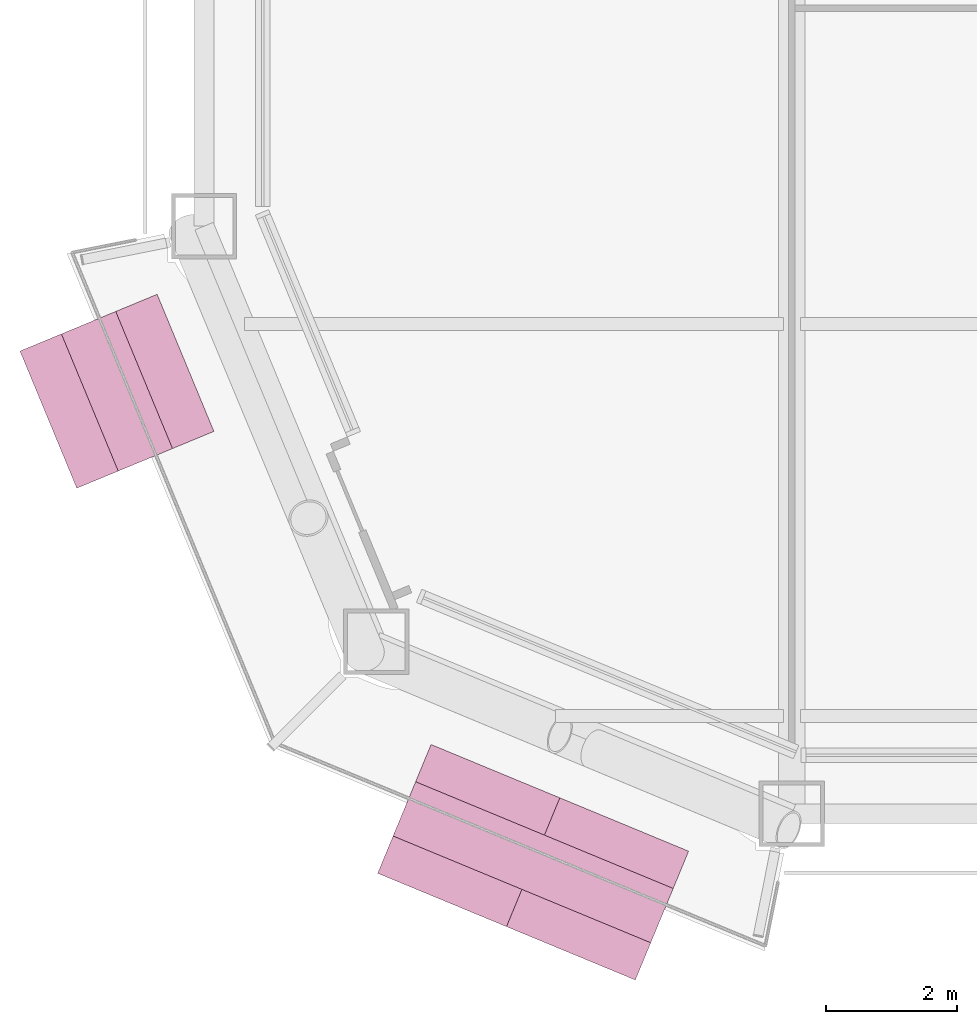
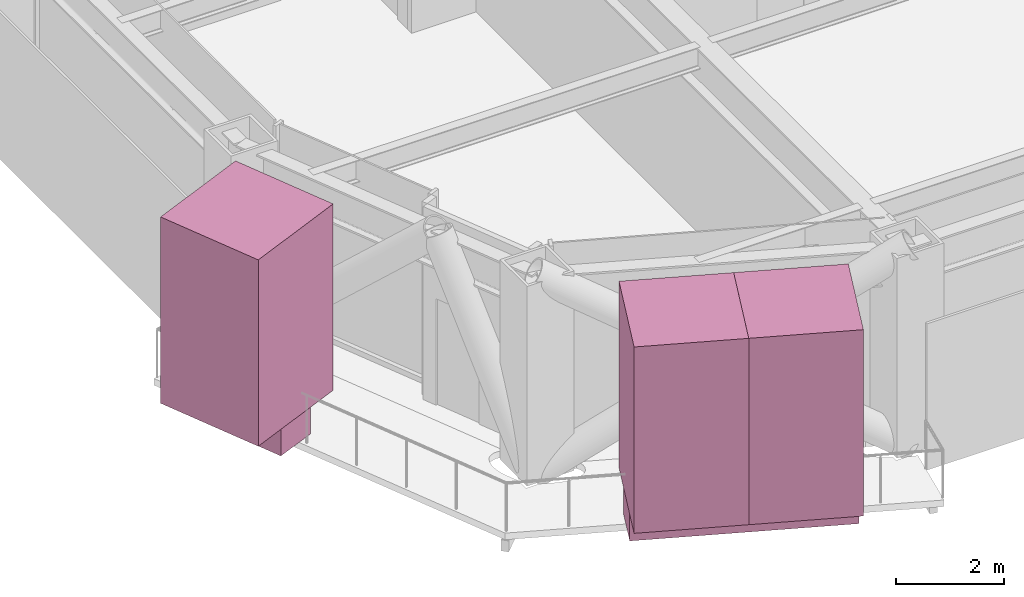
# One storey, part 27 of 27: 5 furnishings.
"""IFC4 building model written with IfcOpenShell, lengths in metres."""

from ifc_helpers import new_model, si_unit, direction, frame, origin, origin_2d, place, context, subcontext, project, spatial, rectangle, extrude, material, type_object, element, save


model = new_model("IFC4")

# Units and contexts
model_context = context("Model", 3, precision=1e-05, world=origin(), true_north=direction((0.0, 1.0)))
body_context = subcontext(model_context, "Body", "Model", "MODEL_VIEW")
ifc_project = project(units=[si_unit("LENGTHUNIT", "METRE"), si_unit("AREAUNIT", "SQUARE_METRE"), si_unit("VOLUMEUNIT", "CUBIC_METRE"), si_unit("PLANEANGLEUNIT", "RADIAN"), si_unit("MASSUNIT", "GRAM", prefix="KILO")], contexts=[model_context])

# Site, building, storey
site_placement = place(None, origin())
site = spatial("IfcSite", under=ifc_project, at=site_placement, CompositionType="ELEMENT")
building_placement = place(site_placement, origin())
building = spatial("IfcBuilding", under=site, at=building_placement, Name="Siwar Civic Tower", CompositionType="ELEMENT")
storey_placement = place(building_placement, frame((0.0, 0.0, 53.699951171875)))
storey = spatial("IfcBuildingStorey", under=building, at=storey_placement, Name="L11", CompositionType="ELEMENT", Elevation=53.699951171875)

# Furnishings
ifc_material_1 = material(Name="Planting soil and foliage")
furnishing_element_type_1 = type_object("IfcFurnishingElementType", Name="ENV-PLANTER", material=ifc_material_1)
furnishing_1_placement = place(storey_placement, frame((-32.833984375, -25.0283203125, 0.0), z_axis=(0.0, 0.0, 1.0), x_axis=(0.382683432365, -0.923879532511, 0.0)))
element("IfcFurnishingElement", 1, at=furnishing_1_placement, inside=storey, type_object=furnishing_element_type_1, Name="PLANTER SW 1", context=body_context, shape_type="SweptSolid", body=[
    extrude(rectangle(XDim=2.273193359375, YDim=0.89990234375, at=origin_2d()), origin(), (0.0, 0.0, 1.0), 0.60009765625),
])
furnishing_2_placement = place(storey_placement, frame((-26.460205078125, -32.240966796875, 0.0), z_axis=(0.0, 0.0, 1.0), x_axis=(0.923879532511, -0.382683432365, 0.0)))
element("IfcFurnishingElement", 2, at=furnishing_2_placement, inside=storey, type_object=furnishing_element_type_1, Name="PLANTER SW 2", context=body_context, shape_type="SweptSolid", body=[
    extrude(rectangle(XDim=4.270751953125, YDim=0.89990234375, at=origin_2d()), origin(), (0.0, 0.0, 1.0), 0.60009765625),
])
ifc_material_2 = material(Name="Planting soil and foliage")
furnishing_element_type_2 = type_object("IfcFurnishingElementType", Name="ENV-TREE", material=ifc_material_2)
furnishing_3_placement = place(storey_placement, frame((-32.833984375, -25.0283203125, 0.60009765625), z_axis=(0.0, 0.0, 1.0), x_axis=(0.382683432365, -0.923879532511, 0.0)))
element("IfcFurnishingElement", 3, at=furnishing_3_placement, inside=storey, type_object=furnishing_element_type_2, Name="PLANTER (TREE) SW 1.1", context=body_context, shape_type="SweptSolid", body=[
    extrude(rectangle(XDim=2.273193359375, YDim=2.273193359375, at=origin_2d()), origin(), (0.0, 0.0, 1.0), 4.199951171875),
])
for number, where, z_axis, x_axis, name in (
    (4, (-27.44677734375, -31.832275390625, 0.60009765625), (0.0, 0.0, 1.0), (0.923879532511, -0.382683432365, 0.0), "PLANTER (TREE) SW 2.1"),
    (5, (-25.473876953125, -32.6494140625, 0.60009765625), (0.0, 0.0, 1.0), (0.923879532511, -0.382683432365, 0.0), "PLANTER (TREE) SW 2.2"),
):
    element("IfcFurnishingElement", number, at=place(storey_placement, frame(where, z_axis=z_axis, x_axis=x_axis)), inside=storey, type_object=furnishing_element_type_2, Name=name, context=body_context, shape_type="SweptSolid", body=[
        extrude(rectangle(XDim=2.13525390625, YDim=2.13525390625, at=origin_2d()), origin(), (0.0, 0.0, 1.0), 4.199951171875),
    ])

save(model, "model.ifc")
